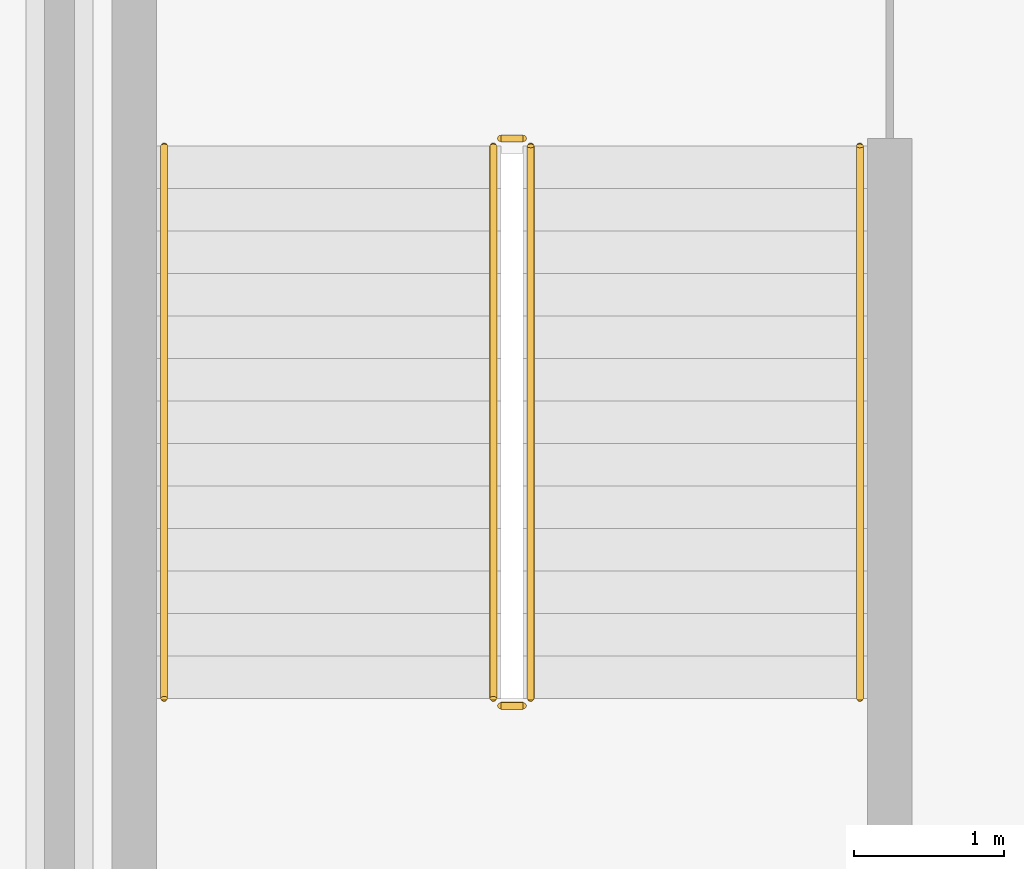
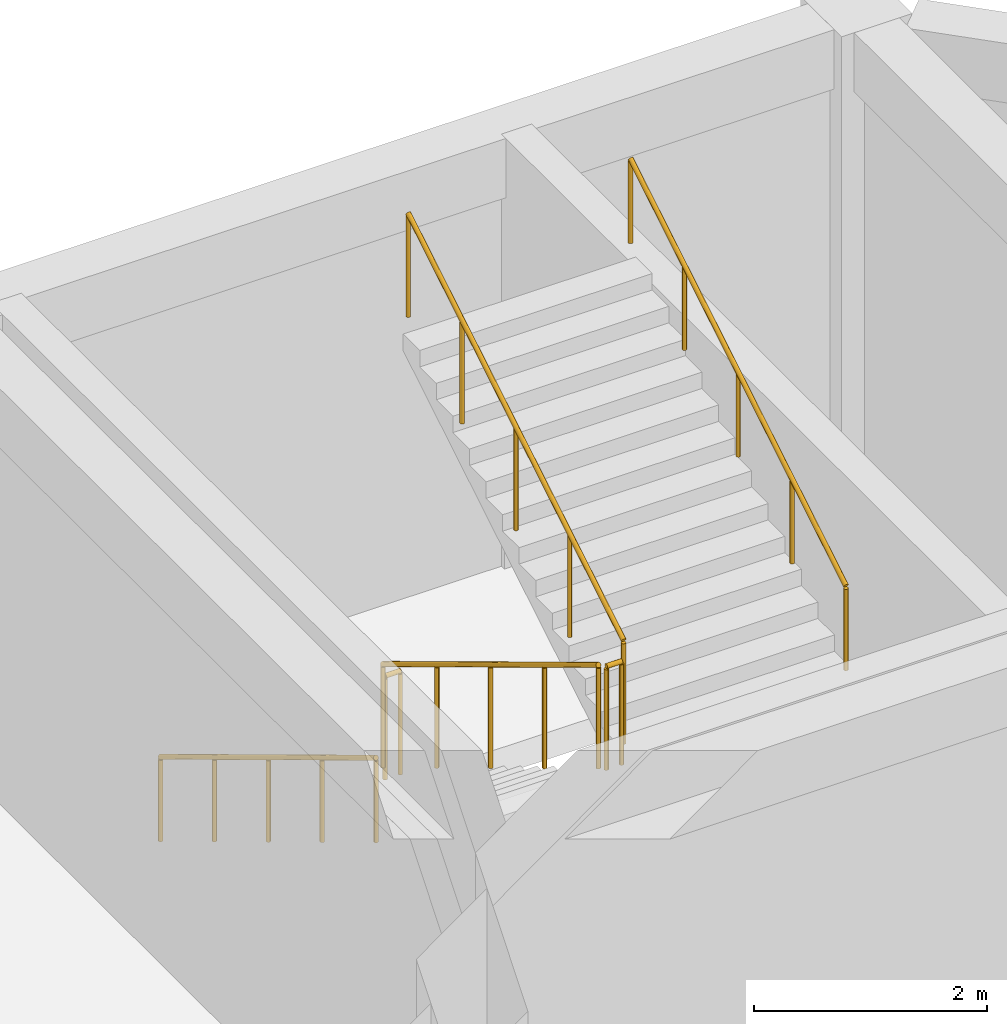
# One storey, part 42 of 42: 6 railings.
"""IFC4 building model written with IfcOpenShell, lengths in metres."""

from ifc_helpers import new_model, si_unit, direction, frame, origin, origin_2d, place, context, subcontext, project, spatial, circle, extrude, material, type_object, element, save


model = new_model("IFC4")

# Units and contexts
model_context = context("Model", 3, precision=1e-05, world=origin(), true_north=direction((0.0, 1.0)))
body_context = subcontext(model_context, "Body", "Model", "MODEL_VIEW")
ifc_project = project(units=[si_unit("LENGTHUNIT", "METRE"), si_unit("AREAUNIT", "SQUARE_METRE"), si_unit("VOLUMEUNIT", "CUBIC_METRE"), si_unit("PLANEANGLEUNIT", "RADIAN"), si_unit("MASSUNIT", "GRAM", prefix="KILO")], contexts=[model_context])

# Site, building, storey
site_placement = place(None, origin())
site = spatial("IfcSite", under=ifc_project, at=site_placement, CompositionType="ELEMENT")
building_placement = place(site_placement, origin())
building = spatial("IfcBuilding", under=site, at=building_placement, Name="Dhurran Vertical Campus", CompositionType="ELEMENT")
storey_placement = place(building_placement, frame((0.0, 0.0, 6.0)))
storey = spatial("IfcBuildingStorey", under=building, at=storey_placement, Name="L01", CompositionType="ELEMENT", Elevation=6.0)

# Railings
ifc_material_1 = material(Name="Steel S355J2H", Category="steel")
railing_type_1 = type_object("IfcRailingType", Name="hl-stair guard 1100", PredefinedType="GUARDRAIL", material=ifc_material_1)
railing_1_placement = place(storey_placement, frame((118.39990234375, 24.550048828125, 0.17138671875)))
element("IfcRailing", 1, at=railing_1_placement, inside=storey, type_object=railing_type_1, Name="L01 HST2 stair guard 1", PredefinedType="GUARDRAIL", context=body_context, shape_type="SweptSolid", body=[
    extrude(circle(Radius=0.02392578125, at=origin_2d()), frame((0.0, 0.0, 1.076171875), z_axis=(0.0, -0.85613627591, 0.516750110858), x_axis=(1.0, 0.0, 0.0)), (0.0, 0.0, 1.0), 4.3125),
    extrude(circle(Radius=0.02099609375, at=origin_2d()), origin(), (0.0, 0.0, 1.0), 1.052001953125),
    extrude(circle(Radius=0.02099609375, at=origin_2d()), frame((0.0, -0.923095703125, 0.55712890625)), (0.0, 0.0, 1.0), 1.052001953125),
    extrude(circle(Radius=0.02099609375, at=origin_2d()), frame((0.0, -1.84619140625, 1.1142578125)), (0.0, 0.0, 1.0), 1.052001953125),
    extrude(circle(Radius=0.02099609375, at=origin_2d()), frame((0.0, -2.76904296875, 1.67138671875)), (0.0, 0.0, 1.0), 1.052001953125),
    extrude(circle(Radius=0.02099609375, at=origin_2d()), frame((0.0, -3.692138671875, 2.228515625)), (0.0, 0.0, 1.0), 1.052001953125),
])
railing_2_placement = place(storey_placement, frame((118.449951171875, 20.80810546875, 2.39990234375)))
element("IfcRailing", 2, at=railing_2_placement, inside=storey, type_object=railing_type_1, Name="L01 HST2 stair guard 2", PredefinedType="GUARDRAIL", context=body_context, shape_type="SweptSolid", body=[
    extrude(circle(Radius=0.02392578125, at=origin_2d()), frame((0.0, 0.0, 1.076171875), z_axis=(1.0, 0.0, 0.0), x_axis=(0.0, 1.0, 0.0)), (0.0, 0.0, 1.0), 0.150146484375),
    extrude(circle(Radius=0.02099609375, at=origin_2d()), origin(), (0.0, 0.0, 1.0), 1.052001953125),
    extrude(circle(Radius=0.02099609375, at=origin_2d()), frame((0.150146484375, 0.0, 0.0)), (0.0, 0.0, 1.0), 1.052001953125),
])
railing_3_placement = place(storey_placement, frame((118.64990234375, 20.85791015625, 2.571533203125)))
element("IfcRailing", 3, at=railing_3_placement, inside=storey, type_object=railing_type_1, Name="L01 HST2 stair guard 3", PredefinedType="GUARDRAIL", context=body_context, shape_type="SweptSolid", body=[
    extrude(circle(Radius=0.02392578125, at=origin_2d()), frame((0.0, 0.0, 1.076171875), z_axis=(0.0, 0.85613627591, 0.516750110858), x_axis=(-1.0, 0.0, 0.0)), (0.0, 0.0, 1.0), 4.3125),
    extrude(circle(Radius=0.02099609375, at=origin_2d()), origin(), (0.0, 0.0, 1.0), 1.052001953125),
    extrude(circle(Radius=0.02099609375, at=origin_2d()), frame((0.0, 0.923095703125, 0.55712890625)), (0.0, 0.0, 1.0), 1.052001953125),
    extrude(circle(Radius=0.02099609375, at=origin_2d()), frame((0.0, 1.84619140625, 1.1142578125)), (0.0, 0.0, 1.0), 1.052001953125),
    extrude(circle(Radius=0.02099609375, at=origin_2d()), frame((0.0, 2.76904296875, 1.67138671875)), (0.0, 0.0, 1.0), 1.052001953125),
    extrude(circle(Radius=0.02099609375, at=origin_2d()), frame((0.0, 3.692138671875, 2.228515625)), (0.0, 0.0, 1.0), 1.052001953125),
])
railing_4_placement = place(storey_placement, frame((118.449951171875, 24.60009765625, 0.0)))
element("IfcRailing", 4, at=railing_4_placement, inside=storey, type_object=railing_type_1, Name="L01 HST2 stair guard 4", PredefinedType="GUARDRAIL", context=body_context, shape_type="SweptSolid", body=[
    extrude(circle(Radius=0.02392578125, at=origin_2d()), frame((0.0, 0.0, 1.076171875), z_axis=(1.0, 0.0, 0.0), x_axis=(0.0, 1.0, 0.0)), (0.0, 0.0, 1.0), 0.150146484375),
    extrude(circle(Radius=0.02099609375, at=origin_2d()), origin(), (0.0, 0.0, 1.0), 1.052001953125),
    extrude(circle(Radius=0.02099609375, at=origin_2d()), frame((0.150146484375, 0.0, 0.0)), (0.0, 0.0, 1.0), 1.052001953125),
])
ifc_material_2 = material(Name="Steel S355J2H", Category="steel")
railing_type_2 = type_object("IfcRailingType", Name="hl-stair handrail", PredefinedType="HANDRAIL", material=ifc_material_2)
railing_5_placement = place(storey_placement, frame((116.199951171875, 24.550048828125, 0.17138671875)))
element("IfcRailing", 5, at=railing_5_placement, inside=storey, type_object=railing_type_2, Name="L01 HST2 stair handrail 1", PredefinedType="HANDRAIL", context=body_context, shape_type="SweptSolid", body=[
    extrude(circle(Radius=0.02392578125, at=origin_2d()), frame((0.0, 0.0, 0.8759765625), z_axis=(0.0, -0.85613627591, 0.516750110858), x_axis=(1.0, 0.0, 0.0)), (0.0, 0.0, 1.0), 4.3125),
    extrude(circle(Radius=0.02099609375, at=origin_2d()), origin(), (0.0, 0.0, 1.0), 0.851806640625),
    extrude(circle(Radius=0.02099609375, at=origin_2d()), frame((0.0, -0.923095703125, 0.55712890625)), (0.0, 0.0, 1.0), 0.851806640625),
    extrude(circle(Radius=0.02099609375, at=origin_2d()), frame((0.0, -1.84619140625, 1.1142578125)), (0.0, 0.0, 1.0), 0.851806640625),
    extrude(circle(Radius=0.02099609375, at=origin_2d()), frame((0.0, -2.76904296875, 1.67138671875)), (0.0, 0.0, 1.0), 0.851806640625),
    extrude(circle(Radius=0.02099609375, at=origin_2d()), frame((0.0, -3.692138671875, 2.228515625)), (0.0, 0.0, 1.0), 0.851806640625),
])
railing_6_placement = place(storey_placement, frame((120.85009765625, 20.85791015625, 2.571533203125)))
element("IfcRailing", 6, at=railing_6_placement, inside=storey, type_object=railing_type_2, Name="L01 HST2 stair handrail 2", PredefinedType="HANDRAIL", context=body_context, shape_type="SweptSolid", body=[
    extrude(circle(Radius=0.02392578125, at=origin_2d()), frame((0.0, 0.0, 0.8759765625), z_axis=(0.0, 0.85613627591, 0.516750110858), x_axis=(-1.0, 0.0, 0.0)), (0.0, 0.0, 1.0), 4.3125),
    extrude(circle(Radius=0.02099609375, at=origin_2d()), origin(), (0.0, 0.0, 1.0), 0.851806640625),
    extrude(circle(Radius=0.02099609375, at=origin_2d()), frame((0.0, 0.923095703125, 0.55712890625)), (0.0, 0.0, 1.0), 0.851806640625),
    extrude(circle(Radius=0.02099609375, at=origin_2d()), frame((0.0, 1.84619140625, 1.1142578125)), (0.0, 0.0, 1.0), 0.851806640625),
    extrude(circle(Radius=0.02099609375, at=origin_2d()), frame((0.0, 2.76904296875, 1.67138671875)), (0.0, 0.0, 1.0), 0.851806640625),
    extrude(circle(Radius=0.02099609375, at=origin_2d()), frame((0.0, 3.692138671875, 2.228515625)), (0.0, 0.0, 1.0), 0.851806640625),
])

save(model, "model.ifc")
